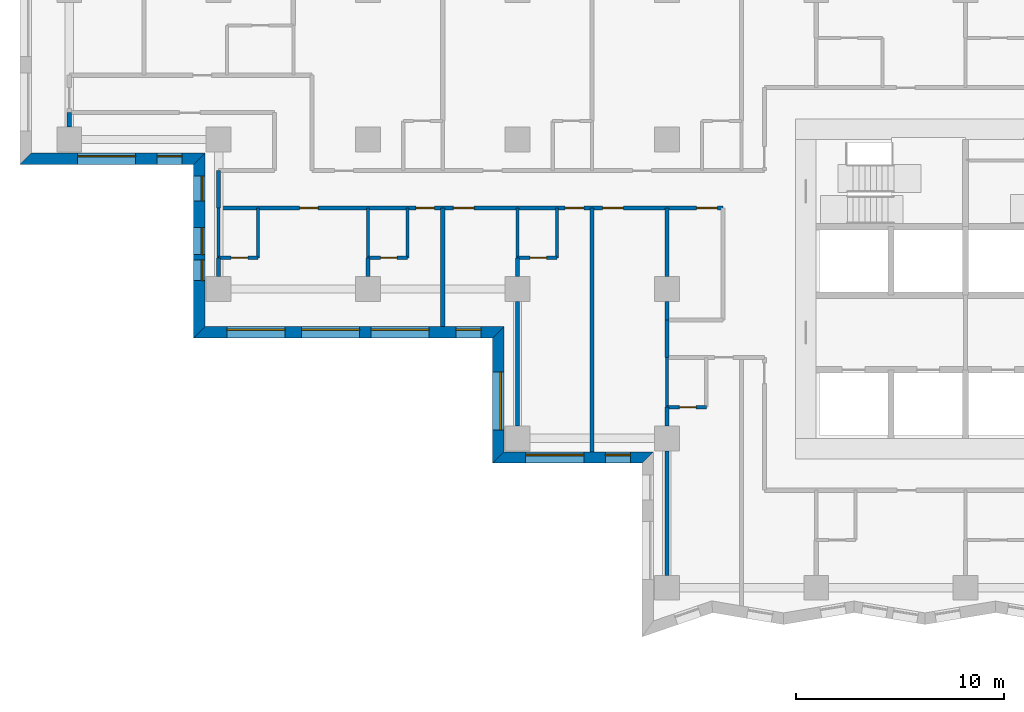
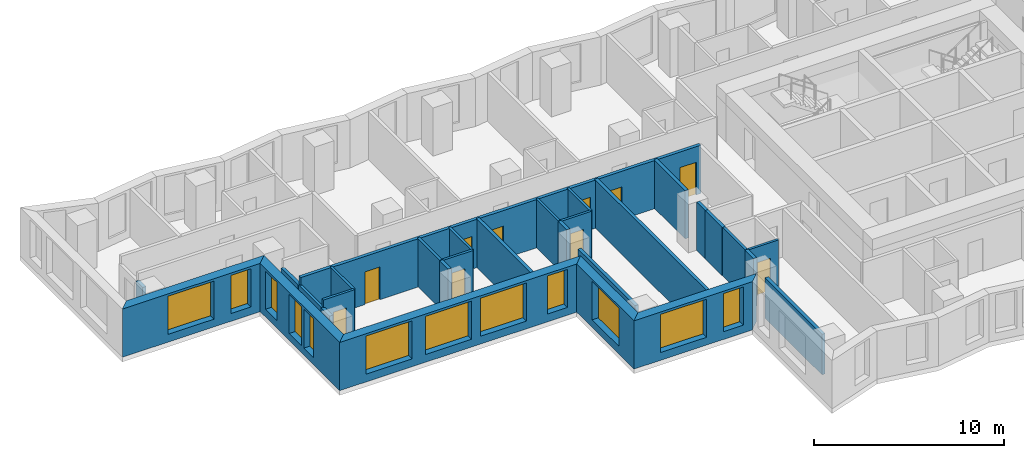
# One storey, part 3 of 12: 30 walls, 12 windows, 10 doors, 22 openings.
"""IFC4 building model written with IfcOpenShell, lengths in metres."""

from ifc_helpers import new_model, si_unit, direction, frame, frame_2d, origin, place, context, subcontext, project, spatial, polyline, rectangle, outline, extrude, material, layer, layer_set, type_object, element, fill, save


model = new_model("IFC4")

# Units and contexts
model_context = context("Model", 3, precision=1e-05, world=origin(), true_north=direction((0.0, 1.0)))
body_context = subcontext(model_context, "Body", "Model", "MODEL_VIEW")
ifc_project = project(units=[si_unit("LENGTHUNIT", "METRE"), si_unit("AREAUNIT", "SQUARE_METRE"), si_unit("VOLUMEUNIT", "CUBIC_METRE"), si_unit("PLANEANGLEUNIT", "RADIAN"), si_unit("MASSUNIT", "GRAM", prefix="KILO")], contexts=[model_context])

# Site, building, storey
site_placement = place(None, origin())
site = spatial("IfcSite", under=ifc_project, at=site_placement, CompositionType="ELEMENT")
building_placement = place(site_placement, origin())
building = spatial("IfcBuilding", under=site, at=building_placement, Name="Windrow Commons", CompositionType="ELEMENT")
storey_placement = place(building_placement, frame((0.0, 0.0, 57.6)))
storey = spatial("IfcBuildingStorey", under=building, at=storey_placement, Name="L15", CompositionType="ELEMENT", Elevation=57.6)

# Wall, openings, windows
ifc_material_1 = material(Name="Brick masonry, red clay brick", Category="masonry")
ifc_layer_1 = layer(ifc_material_1, 0.55)
ifc_layer_set_1 = layer_set([ifc_layer_1], Name="Brick facade wall 550")
wall_type_1 = type_object("IfcWallType", Name="Brick facade wall 550", PredefinedType="SOLIDWALL", material=ifc_layer_set_1)
wall_1_placement = place(storey_placement, frame((19.503, 63.875, 0.0), z_axis=(0.0, 0.0, 1.0), x_axis=(1.0, 0.0, 0.0)))
wall_1 = element("IfcWall", 1, at=wall_1_placement, inside=storey, type_object=wall_type_1, Name="Brick facade wall L15 40", PredefinedType="SOLIDWALL", context=body_context, shape_type="SweptSolid", body=[
    extrude(outline(polyline([(-0.275, -0.275), (8.097, -0.275), (8.647, 0.275), (0.275, 0.275), (-0.275, -0.275)])), origin(), (0.0, 0.0, 1.0), 3.1),
])
opening_1_placement = place(wall_1_placement, frame((2.497, 0.0, 0.5)))
opening_1 = element("IfcOpeningElement", 2, at=opening_1_placement, cuts=wall_1, Name="Opening W1T", PredefinedType="OPENING", context=body_context, shape_type="SweptSolid", body=[
    extrude(rectangle(XDim=2.8, YDim=2.45, at=frame_2d((1.4, 1.225))), frame((0.0, 0.285, 0.0), z_axis=(0.0, -1.0, 0.0), x_axis=(1.0, 0.0, 0.0)), (0.0, 0.0, 1.0), 0.57),
])
opening_2_placement = place(wall_1_placement, frame((6.3345, 0.0, 0.5)))
opening_2 = element("IfcOpeningElement", 3, at=opening_2_placement, cuts=wall_1, Name="Opening W7D", PredefinedType="OPENING", context=body_context, shape_type="SweptSolid", body=[
    extrude(rectangle(XDim=1.2, YDim=2.45, at=frame_2d((0.6, 1.225))), frame((0.0, 0.285, 0.0), z_axis=(0.0, -1.0, 0.0), x_axis=(1.0, 0.0, 0.0)), (0.0, 0.0, 1.0), 0.57),
])
ifc_material_2 = material(Name="Clear float glass in anodised aluminium frame", Category="aluminium")
window_type_1 = type_object("IfcWindowType", Name="Window W1T bedroom 2800x2450", PartitioningType="SINGLE_PANEL", PredefinedType="WINDOW", material=ifc_material_2)
window_1_placement = place(opening_1_placement, origin())
window_1 = element("IfcWindow", 4, at=window_1_placement, inside=storey, type_object=window_type_1, Name="Window L15 40.1", OverallHeight=2.45, OverallWidth=2.8, PartitioningType="SINGLE_PANEL", PredefinedType="WINDOW", context=body_context, shape_type="SweptSolid", body=[
    extrude(rectangle(XDim=2.8, YDim=2.45, at=frame_2d((1.4, 1.225))), frame((0.0, 0.155, 0.0), z_axis=(0.0, -1.0, 0.0), x_axis=(1.0, 0.0, 0.0)), (0.0, 0.0, 1.0), 0.06),
])
fill(opening_1, window_1)
ifc_material_3 = material(Name="Clear float glass in anodised aluminium frame", Category="aluminium")
window_type_2 = type_object("IfcWindowType", Name="Window W7 notch 1200x2450", PartitioningType="SINGLE_PANEL", PredefinedType="WINDOW", material=ifc_material_3)
window_2_placement = place(opening_2_placement, origin())
window_2 = element("IfcWindow", 5, at=window_2_placement, inside=storey, type_object=window_type_2, Name="Window L15 40.2", OverallHeight=2.45, OverallWidth=1.2, PartitioningType="SINGLE_PANEL", PredefinedType="WINDOW", context=body_context, shape_type="SweptSolid", body=[
    extrude(rectangle(XDim=1.2, YDim=2.45, at=frame_2d((0.6, 1.225))), frame((0.0, 0.155, 0.0), z_axis=(0.0, -1.0, 0.0), x_axis=(1.0, 0.0, 0.0)), (0.0, 0.0, 1.0), 0.06),
])
fill(opening_2, window_2)

wall_2_placement = place(storey_placement, frame((27.875, 63.875, 0.0), z_axis=(0.0, 0.0, 1.0), x_axis=(0.0, -1.0, 0.0)))
wall_2 = element("IfcWall", 6, at=wall_2_placement, inside=storey, type_object=wall_type_1, Name="Brick facade wall L15 41", PredefinedType="SOLIDWALL", context=body_context, shape_type="SweptSolid", body=[
    extrude(outline(polyline([(0.275, -0.275), (8.647, -0.275), (8.097, 0.275), (-0.275, 0.275), (0.275, -0.275)])), origin(), (0.0, 0.0, 1.0), 3.1),
])
opening_3_placement = place(wall_2_placement, frame((0.8375, 0.0, 0.5)))
opening_3 = element("IfcOpeningElement", 7, at=opening_3_placement, cuts=wall_2, Name="Opening W7D", PredefinedType="OPENING", context=body_context, shape_type="SweptSolid", body=[
    extrude(rectangle(XDim=1.2, YDim=2.45, at=frame_2d((0.6, 1.225))), frame((0.0, 0.285, 0.0), z_axis=(0.0, -1.0, 0.0), x_axis=(1.0, 0.0, 0.0)), (0.0, 0.0, 1.0), 0.57),
])
opening_4_placement = place(wall_2_placement, frame((3.325, 0.0, 0.45)))
opening_4 = element("IfcOpeningElement", 8, at=opening_4_placement, cuts=wall_2, Name="Opening W1Q", PredefinedType="OPENING", context=body_context, shape_type="SweptSolid", body=[
    extrude(rectangle(XDim=1.3, YDim=2.5, at=frame_2d((0.65, 1.25))), frame((0.0, 0.285, 0.0), z_axis=(0.0, -1.0, 0.0), x_axis=(1.0, 0.0, 0.0)), (0.0, 0.0, 1.0), 0.57),
])
opening_5_placement = place(wall_2_placement, frame((4.875, 0.0, 0.45)))
opening_5 = element("IfcOpeningElement", 9, at=opening_5_placement, cuts=wall_2, Name="Opening W1S", PredefinedType="OPENING", context=body_context, shape_type="SweptSolid", body=[
    extrude(rectangle(XDim=1.0, YDim=2.5, at=frame_2d((0.5, 1.25))), frame((0.0, 0.285, 0.0), z_axis=(0.0, -1.0, 0.0), x_axis=(1.0, 0.0, 0.0)), (0.0, 0.0, 1.0), 0.57),
])
ifc_material_4 = material(Name="Clear float glass in anodised aluminium frame", Category="aluminium")
window_type_3 = type_object("IfcWindowType", Name="Window W1Q pair 1300x2500", PartitioningType="SINGLE_PANEL", PredefinedType="WINDOW", material=ifc_material_4)
window_3_placement = place(opening_4_placement, origin())
window_3 = element("IfcWindow", 10, at=window_3_placement, inside=storey, type_object=window_type_3, Name="Window L15 41.1A", OverallHeight=2.5, OverallWidth=1.3, PartitioningType="SINGLE_PANEL", PredefinedType="WINDOW", context=body_context, shape_type="SweptSolid", body=[
    extrude(rectangle(XDim=1.3, YDim=2.5, at=frame_2d((0.65, 1.25))), frame((0.0, 0.155, 0.0), z_axis=(0.0, -1.0, 0.0), x_axis=(1.0, 0.0, 0.0)), (0.0, 0.0, 1.0), 0.06),
])
fill(opening_4, window_3)
ifc_material_5 = material(Name="Clear float glass in anodised aluminium frame", Category="aluminium")
window_type_4 = type_object("IfcWindowType", Name="Window W1S slit 1000x2500", PartitioningType="SINGLE_PANEL", PredefinedType="WINDOW", material=ifc_material_5)
window_4_placement = place(opening_5_placement, origin())
window_4 = element("IfcWindow", 11, at=window_4_placement, inside=storey, type_object=window_type_4, Name="Window L15 41.1B", OverallHeight=2.5, OverallWidth=1.0, PartitioningType="SINGLE_PANEL", PredefinedType="WINDOW", context=body_context, shape_type="SweptSolid", body=[
    extrude(rectangle(XDim=1.0, YDim=2.5, at=frame_2d((0.5, 1.25))), frame((0.0, 0.155, 0.0), z_axis=(0.0, -1.0, 0.0), x_axis=(1.0, 0.0, 0.0)), (0.0, 0.0, 1.0), 0.06),
])
fill(opening_5, window_4)
window_5_placement = place(opening_3_placement, origin())
window_5 = element("IfcWindow", 12, at=window_5_placement, inside=storey, type_object=window_type_2, Name="Window L15 41.2", OverallHeight=2.45, OverallWidth=1.2, PartitioningType="SINGLE_PANEL", PredefinedType="WINDOW", context=body_context, shape_type="SweptSolid", body=[
    extrude(rectangle(XDim=1.2, YDim=2.45, at=frame_2d((0.6, 1.225))), frame((0.0, 0.155, 0.0), z_axis=(0.0, -1.0, 0.0), x_axis=(1.0, 0.0, 0.0)), (0.0, 0.0, 1.0), 0.06),
])
fill(opening_3, window_5)

wall_3_placement = place(storey_placement, frame((27.875, 55.503, 0.0), z_axis=(0.0, 0.0, 1.0), x_axis=(1.0, 0.0, 0.0)))
wall_3 = element("IfcWall", 13, at=wall_3_placement, inside=storey, type_object=wall_type_1, Name="Brick facade wall L15 42", PredefinedType="SOLIDWALL", context=body_context, shape_type="SweptSolid", body=[
    extrude(outline(polyline([(-0.275, -0.275), (14.125, -0.275), (14.675, 0.275), (0.275, 0.275), (-0.275, -0.275)])), origin(), (0.0, 0.0, 1.0), 3.1),
])
opening_6_placement = place(wall_3_placement, frame((1.325, 0.0, 0.5)))
opening_6 = element("IfcOpeningElement", 14, at=opening_6_placement, cuts=wall_3, Name="Opening W1T", PredefinedType="OPENING", context=body_context, shape_type="SweptSolid", body=[
    extrude(rectangle(XDim=2.8, YDim=2.45, at=frame_2d((1.4, 1.225))), frame((0.0, 0.285, 0.0), z_axis=(0.0, -1.0, 0.0), x_axis=(1.0, 0.0, 0.0)), (0.0, 0.0, 1.0), 0.57),
])
opening_7_placement = place(wall_3_placement, frame((4.925, 0.0, 0.5)))
opening_7 = element("IfcOpeningElement", 15, at=opening_7_placement, cuts=wall_3, Name="Opening W1T", PredefinedType="OPENING", context=body_context, shape_type="SweptSolid", body=[
    extrude(rectangle(XDim=2.8, YDim=2.45, at=frame_2d((1.4, 1.225))), frame((0.0, 0.285, 0.0), z_axis=(0.0, -1.0, 0.0), x_axis=(1.0, 0.0, 0.0)), (0.0, 0.0, 1.0), 0.57),
])
opening_8_placement = place(wall_3_placement, frame((8.275, 0.0, 0.5)))
opening_8 = element("IfcOpeningElement", 16, at=opening_8_placement, cuts=wall_3, Name="Opening W1T", PredefinedType="OPENING", context=body_context, shape_type="SweptSolid", body=[
    extrude(rectangle(XDim=2.8, YDim=2.45, at=frame_2d((1.4, 1.225))), frame((0.0, 0.285, 0.0), z_axis=(0.0, -1.0, 0.0), x_axis=(1.0, 0.0, 0.0)), (0.0, 0.0, 1.0), 0.57),
])
opening_9_placement = place(wall_3_placement, frame((12.3625, 0.0, 0.5)))
opening_9 = element("IfcOpeningElement", 17, at=opening_9_placement, cuts=wall_3, Name="Opening W7D", PredefinedType="OPENING", context=body_context, shape_type="SweptSolid", body=[
    extrude(rectangle(XDim=1.2, YDim=2.45, at=frame_2d((0.6, 1.225))), frame((0.0, 0.285, 0.0), z_axis=(0.0, -1.0, 0.0), x_axis=(1.0, 0.0, 0.0)), (0.0, 0.0, 1.0), 0.57),
])
window_6_placement = place(opening_6_placement, origin())
window_6 = element("IfcWindow", 18, at=window_6_placement, inside=storey, type_object=window_type_1, Name="Window L15 42.1", OverallHeight=2.45, OverallWidth=2.8, PartitioningType="SINGLE_PANEL", PredefinedType="WINDOW", context=body_context, shape_type="SweptSolid", body=[
    extrude(rectangle(XDim=2.8, YDim=2.45, at=frame_2d((1.4, 1.225))), frame((0.0, 0.155, 0.0), z_axis=(0.0, -1.0, 0.0), x_axis=(1.0, 0.0, 0.0)), (0.0, 0.0, 1.0), 0.06),
])
fill(opening_6, window_6)
window_7_placement = place(opening_7_placement, origin())
window_7 = element("IfcWindow", 19, at=window_7_placement, inside=storey, type_object=window_type_1, Name="Window L15 42.2", OverallHeight=2.45, OverallWidth=2.8, PartitioningType="SINGLE_PANEL", PredefinedType="WINDOW", context=body_context, shape_type="SweptSolid", body=[
    extrude(rectangle(XDim=2.8, YDim=2.45, at=frame_2d((1.4, 1.225))), frame((0.0, 0.155, 0.0), z_axis=(0.0, -1.0, 0.0), x_axis=(1.0, 0.0, 0.0)), (0.0, 0.0, 1.0), 0.06),
])
fill(opening_7, window_7)
window_8_placement = place(opening_8_placement, origin())
window_8 = element("IfcWindow", 20, at=window_8_placement, inside=storey, type_object=window_type_1, Name="Window L15 42.3", OverallHeight=2.45, OverallWidth=2.8, PartitioningType="SINGLE_PANEL", PredefinedType="WINDOW", context=body_context, shape_type="SweptSolid", body=[
    extrude(rectangle(XDim=2.8, YDim=2.45, at=frame_2d((1.4, 1.225))), frame((0.0, 0.155, 0.0), z_axis=(0.0, -1.0, 0.0), x_axis=(1.0, 0.0, 0.0)), (0.0, 0.0, 1.0), 0.06),
])
fill(opening_8, window_8)
window_9_placement = place(opening_9_placement, origin())
window_9 = element("IfcWindow", 21, at=window_9_placement, inside=storey, type_object=window_type_2, Name="Window L15 42.4", OverallHeight=2.45, OverallWidth=1.2, PartitioningType="SINGLE_PANEL", PredefinedType="WINDOW", context=body_context, shape_type="SweptSolid", body=[
    extrude(rectangle(XDim=1.2, YDim=2.45, at=frame_2d((0.6, 1.225))), frame((0.0, 0.155, 0.0), z_axis=(0.0, -1.0, 0.0), x_axis=(1.0, 0.0, 0.0)), (0.0, 0.0, 1.0), 0.06),
])
fill(opening_9, window_9)

# Wall, opening, window
wall_4_placement = place(storey_placement, frame((42.275, 55.503, 0.0), z_axis=(0.0, 0.0, 1.0), x_axis=(0.0, -1.0, 0.0)))
wall_4 = element("IfcWall", 22, at=wall_4_placement, inside=storey, type_object=wall_type_1, Name="Brick facade wall L15 43", PredefinedType="SOLIDWALL", context=body_context, shape_type="SweptSolid", body=[
    extrude(outline(polyline([(0.275, -0.275), (6.303, -0.275), (5.753, 0.275), (-0.275, 0.275), (0.275, -0.275)])), origin(), (0.0, 0.0, 1.0), 3.1),
])
opening_10_placement = place(wall_4_placement, frame((1.903, 0.0, 0.5)))
opening_10 = element("IfcOpeningElement", 23, at=opening_10_placement, cuts=wall_4, Name="Opening W1T", PredefinedType="OPENING", context=body_context, shape_type="SweptSolid", body=[
    extrude(rectangle(XDim=2.8, YDim=2.45, at=frame_2d((1.4, 1.225))), frame((0.0, 0.285, 0.0), z_axis=(0.0, -1.0, 0.0), x_axis=(1.0, 0.0, 0.0)), (0.0, 0.0, 1.0), 0.57),
])
window_10_placement = place(opening_10_placement, origin())
window_10 = element("IfcWindow", 24, at=window_10_placement, inside=storey, type_object=window_type_1, Name="Window L15 43.1", OverallHeight=2.45, OverallWidth=2.8, PartitioningType="SINGLE_PANEL", PredefinedType="WINDOW", context=body_context, shape_type="SweptSolid", body=[
    extrude(rectangle(XDim=2.8, YDim=2.45, at=frame_2d((1.4, 1.225))), frame((0.0, 0.155, 0.0), z_axis=(0.0, -1.0, 0.0), x_axis=(1.0, 0.0, 0.0)), (0.0, 0.0, 1.0), 0.06),
])
fill(opening_10, window_10)

# Wall, openings, windows
wall_5_placement = place(storey_placement, frame((42.275, 49.475, 0.0), z_axis=(0.0, 0.0, 1.0), x_axis=(1.0, 0.0, 0.0)))
wall_5 = element("IfcWall", 25, at=wall_5_placement, inside=storey, type_object=wall_type_1, Name="Brick facade wall L15 44", PredefinedType="SOLIDWALL", context=body_context, shape_type="SweptSolid", body=[
    extrude(outline(polyline([(-0.275, -0.275), (6.925, -0.275), (7.475, 0.275), (0.275, 0.275), (-0.275, -0.275)])), origin(), (0.0, 0.0, 1.0), 3.1),
])
opening_11_placement = place(wall_5_placement, frame((1.325, 0.0, 0.5)))
opening_11 = element("IfcOpeningElement", 26, at=opening_11_placement, cuts=wall_5, Name="Opening W1T", PredefinedType="OPENING", context=body_context, shape_type="SweptSolid", body=[
    extrude(rectangle(XDim=2.8, YDim=2.45, at=frame_2d((1.4, 1.225))), frame((0.0, 0.285, 0.0), z_axis=(0.0, -1.0, 0.0), x_axis=(1.0, 0.0, 0.0)), (0.0, 0.0, 1.0), 0.57),
])
opening_12_placement = place(wall_5_placement, frame((5.1625, 0.0, 0.5)))
opening_12 = element("IfcOpeningElement", 27, at=opening_12_placement, cuts=wall_5, Name="Opening W7D", PredefinedType="OPENING", context=body_context, shape_type="SweptSolid", body=[
    extrude(rectangle(XDim=1.2, YDim=2.45, at=frame_2d((0.6, 1.225))), frame((0.0, 0.285, 0.0), z_axis=(0.0, -1.0, 0.0), x_axis=(1.0, 0.0, 0.0)), (0.0, 0.0, 1.0), 0.57),
])
window_11_placement = place(opening_11_placement, origin())
window_11 = element("IfcWindow", 28, at=window_11_placement, inside=storey, type_object=window_type_1, Name="Window L15 44.1", OverallHeight=2.45, OverallWidth=2.8, PartitioningType="SINGLE_PANEL", PredefinedType="WINDOW", context=body_context, shape_type="SweptSolid", body=[
    extrude(rectangle(XDim=2.8, YDim=2.45, at=frame_2d((1.4, 1.225))), frame((0.0, 0.155, 0.0), z_axis=(0.0, -1.0, 0.0), x_axis=(1.0, 0.0, 0.0)), (0.0, 0.0, 1.0), 0.06),
])
fill(opening_11, window_11)
window_12_placement = place(opening_12_placement, origin())
window_12 = element("IfcWindow", 29, at=window_12_placement, inside=storey, type_object=window_type_2, Name="Window L15 44.2", OverallHeight=2.45, OverallWidth=1.2, PartitioningType="SINGLE_PANEL", PredefinedType="WINDOW", context=body_context, shape_type="SweptSolid", body=[
    extrude(rectangle(XDim=1.2, YDim=2.45, at=frame_2d((0.6, 1.225))), frame((0.0, 0.155, 0.0), z_axis=(0.0, -1.0, 0.0), x_axis=(1.0, 0.0, 0.0)), (0.0, 0.0, 1.0), 0.06),
])
fill(opening_12, window_12)

# Wall, openings, doors
ifc_material_6 = material(Name="Blockwork partition", Category="masonry")
ifc_layer_2 = layer(ifc_material_6, 0.2)
ifc_layer_set_2 = layer_set([ifc_layer_2], Name="IW-CORRIDOR-200")
wall_type_2 = type_object("IfcWallType", Name="IW-CORRIDOR-200", PredefinedType="PARTITIONING", material=ifc_layer_set_2)
wall_6_placement = place(storey_placement, frame((28.8, 61.5, 0.0), z_axis=(0.0, 0.0, 1.0), x_axis=(1.0, 0.0, 0.0)))
wall_6 = element("IfcWall", 30, at=wall_6_placement, inside=storey, type_object=wall_type_2, Name="W-L15-W000", PredefinedType="PARTITIONING", context=body_context, shape_type="SweptSolid", body=[
    extrude(rectangle(XDim=24.3, YDim=0.2, at=frame_2d((12.15, 0.0))), origin(), (0.0, 0.0, 1.0), 3.1),
])
opening_13_placement = place(wall_6_placement, frame((3.8994, 0.0, 0.0)))
opening_13 = element("IfcOpeningElement", 31, at=opening_13_placement, cuts=wall_6, Name="Opening D109F", PredefinedType="OPENING", context=body_context, shape_type="SweptSolid", body=[
    extrude(rectangle(XDim=0.9, YDim=2.1, at=frame_2d((0.45, 1.05))), frame((0.0, 0.11, 0.0), z_axis=(0.0, -1.0, 0.0), x_axis=(1.0, 0.0, 0.0)), (0.0, 0.0, 1.0), 0.22),
])
opening_14_placement = place(wall_6_placement, frame((9.5, 0.0, 0.0)))
opening_14 = element("IfcOpeningElement", 32, at=opening_14_placement, cuts=wall_6, Name="Opening D109S", PredefinedType="OPENING", context=body_context, shape_type="SweptSolid", body=[
    extrude(rectangle(XDim=0.9, YDim=2.1, at=frame_2d((0.45, 1.05))), frame((0.0, 0.11, 0.0), z_axis=(0.0, -1.0, 0.0), x_axis=(1.0, 0.0, 0.0)), (0.0, 0.0, 1.0), 0.22),
])
opening_15_placement = place(wall_6_placement, frame((11.3075, 0.0, 0.0)))
opening_15 = element("IfcOpeningElement", 33, at=opening_15_placement, cuts=wall_6, Name="Opening D310F", PredefinedType="OPENING", context=body_context, shape_type="SweptSolid", body=[
    extrude(rectangle(XDim=1.0, YDim=2.1, at=frame_2d((0.5, 1.05))), frame((0.0, 0.11, 0.0), z_axis=(0.0, -1.0, 0.0), x_axis=(1.0, 0.0, 0.0)), (0.0, 0.0, 1.0), 0.22),
])
opening_16_placement = place(wall_6_placement, frame((16.7, 0.0, 0.0)))
opening_16 = element("IfcOpeningElement", 34, at=opening_16_placement, cuts=wall_6, Name="Opening D109S", PredefinedType="OPENING", context=body_context, shape_type="SweptSolid", body=[
    extrude(rectangle(XDim=0.9, YDim=2.1, at=frame_2d((0.45, 1.05))), frame((0.0, 0.11, 0.0), z_axis=(0.0, -1.0, 0.0), x_axis=(1.0, 0.0, 0.0)), (0.0, 0.0, 1.0), 0.22),
])
opening_17_placement = place(wall_6_placement, frame((18.5075, 0.0, 0.0)))
opening_17 = element("IfcOpeningElement", 35, at=opening_17_placement, cuts=wall_6, Name="Opening D310F", PredefinedType="OPENING", context=body_context, shape_type="SweptSolid", body=[
    extrude(rectangle(XDim=1.0, YDim=2.1, at=frame_2d((0.5, 1.05))), frame((0.0, 0.11, 0.0), z_axis=(0.0, -1.0, 0.0), x_axis=(1.0, 0.0, 0.0)), (0.0, 0.0, 1.0), 0.22),
])
opening_18_placement = place(wall_6_placement, frame((23.0333, 0.0, 0.0)))
opening_18 = element("IfcOpeningElement", 36, at=opening_18_placement, cuts=wall_6, Name="Opening D310F", PredefinedType="OPENING", context=body_context, shape_type="SweptSolid", body=[
    extrude(rectangle(XDim=1.0, YDim=2.1, at=frame_2d((0.5, 1.05))), frame((0.0, 0.11, 0.0), z_axis=(0.0, -1.0, 0.0), x_axis=(1.0, 0.0, 0.0)), (0.0, 0.0, 1.0), 0.22),
])
ifc_material_7 = material(Name="Timber door leaf", Category="wood")
door_type_1 = type_object("IfcDoorType", Name="DT-AMENITY-1000", OperationType="SINGLE_SWING_LEFT", PredefinedType="DOOR", material=ifc_material_7)
door_1_placement = place(opening_15_placement, origin())
door_1 = element("IfcDoor", 37, at=door_1_placement, inside=storey, type_object=door_type_1, Name="D-L15-D017", OperationType="SINGLE_SWING_RIGHT", OverallHeight=2.1, OverallWidth=1.0, PredefinedType="DOOR", context=body_context, shape_type="SweptSolid", body=[
    extrude(rectangle(XDim=1.0, YDim=2.1, at=frame_2d((0.5, 1.05))), frame((0.0, 0.025, 0.0), z_axis=(0.0, -1.0, 0.0), x_axis=(1.0, 0.0, 0.0)), (0.0, 0.0, 1.0), 0.05),
])
fill(opening_15, door_1)
door_2_placement = place(opening_17_placement, origin())
door_2 = element("IfcDoor", 38, at=door_2_placement, inside=storey, type_object=door_type_1, Name="D-L15-D020", OperationType="SINGLE_SWING_RIGHT", OverallHeight=2.1, OverallWidth=1.0, PredefinedType="DOOR", context=body_context, shape_type="SweptSolid", body=[
    extrude(rectangle(XDim=1.0, YDim=2.1, at=frame_2d((0.5, 1.05))), frame((0.0, 0.025, 0.0), z_axis=(0.0, -1.0, 0.0), x_axis=(1.0, 0.0, 0.0)), (0.0, 0.0, 1.0), 0.05),
])
fill(opening_17, door_2)
door_3_placement = place(opening_18_placement, origin())
door_3 = element("IfcDoor", 39, at=door_3_placement, inside=storey, type_object=door_type_1, Name="D-L15-D021", OperationType="SINGLE_SWING_LEFT", OverallHeight=2.1, OverallWidth=1.0, PredefinedType="DOOR", context=body_context, shape_type="SweptSolid", body=[
    extrude(rectangle(XDim=1.0, YDim=2.1, at=frame_2d((0.5, 1.05))), frame((0.0, 0.025, 0.0), z_axis=(0.0, -1.0, 0.0), x_axis=(1.0, 0.0, 0.0)), (0.0, 0.0, 1.0), 0.05),
])
fill(opening_18, door_3)
ifc_material_8 = material(Name="Timber door leaf", Category="wood")
door_type_2 = type_object("IfcDoorType", Name="DT-BEDROOM-900", OperationType="SINGLE_SWING_LEFT", PredefinedType="DOOR", material=ifc_material_8)
door_4_placement = place(opening_13_placement, origin())
door_4 = element("IfcDoor", 40, at=door_4_placement, inside=storey, type_object=door_type_2, Name="D-L15-D005", OperationType="SINGLE_SWING_LEFT", OverallHeight=2.1, OverallWidth=0.9, PredefinedType="DOOR", context=body_context, shape_type="SweptSolid", body=[
    extrude(rectangle(XDim=0.9, YDim=2.1, at=frame_2d((0.45, 1.05))), frame((0.0, 0.025, 0.0), z_axis=(0.0, -1.0, 0.0), x_axis=(1.0, 0.0, 0.0)), (0.0, 0.0, 1.0), 0.05),
])
fill(opening_13, door_4)
door_5_placement = place(opening_14_placement, origin())
door_5 = element("IfcDoor", 41, at=door_5_placement, inside=storey, type_object=door_type_2, Name="D-L15-D007", OperationType="SINGLE_SWING_LEFT", OverallHeight=2.1, OverallWidth=0.9, PredefinedType="DOOR", context=body_context, shape_type="SweptSolid", body=[
    extrude(rectangle(XDim=0.9, YDim=2.1, at=frame_2d((0.45, 1.05))), frame((0.0, 0.025, 0.0), z_axis=(0.0, -1.0, 0.0), x_axis=(1.0, 0.0, 0.0)), (0.0, 0.0, 1.0), 0.05),
])
fill(opening_14, door_5)
door_6_placement = place(opening_16_placement, origin())
door_6 = element("IfcDoor", 42, at=door_6_placement, inside=storey, type_object=door_type_2, Name="D-L15-D018", OperationType="SINGLE_SWING_LEFT", OverallHeight=2.1, OverallWidth=0.9, PredefinedType="DOOR", context=body_context, shape_type="SweptSolid", body=[
    extrude(rectangle(XDim=0.9, YDim=2.1, at=frame_2d((0.45, 1.05))), frame((0.0, 0.025, 0.0), z_axis=(0.0, -1.0, 0.0), x_axis=(1.0, 0.0, 0.0)), (0.0, 0.0, 1.0), 0.05),
])
fill(opening_16, door_6)

# Walls
wall_7_placement = place(storey_placement, frame((50.4, 54.3, 0.0), z_axis=(0.0, 0.0, 1.0), x_axis=(0.0, 1.0, 0.0)))
element("IfcWall", 43, at=wall_7_placement, inside=storey, type_object=wall_type_2, Name="W-L15-W132", PredefinedType="PARTITIONING", context=body_context, shape_type="SweptSolid", body=[
    extrude(rectangle(XDim=1.8, YDim=0.2, at=frame_2d((0.9, 0.0))), origin(), (0.0, 0.0, 1.0), 3.1),
])
wall_8_placement = place(storey_placement, frame((28.8, 61.5, 0.0), z_axis=(0.0, 0.0, 1.0), x_axis=(0.0, 1.0, 0.0)))
element("IfcWall", 44, at=wall_8_placement, inside=storey, type_object=wall_type_2, Name="W-L15-W133", PredefinedType="PARTITIONING", context=body_context, shape_type="SweptSolid", body=[
    extrude(rectangle(XDim=1.8, YDim=0.2, at=frame_2d((0.9, 0.0))), origin(), (0.0, 0.0, 1.0), 2.6),
])
ifc_material_9 = material(Name="Blockwork partition", Category="masonry")
ifc_layer_3 = layer(ifc_material_9, 0.15)
ifc_layer_set_3 = layer_set([ifc_layer_3], Name="IW-ENSUITE-150")
wall_type_3 = type_object("IfcWallType", Name="IW-ENSUITE-150", PredefinedType="PARTITIONING", material=ifc_layer_set_3)
wall_9_placement = place(storey_placement, frame((30.7, 59.1, 0.0), z_axis=(0.0, 0.0, 1.0), x_axis=(0.0, 1.0, 0.0)))
element("IfcWall", 45, at=wall_9_placement, inside=storey, type_object=wall_type_3, Name="W-L15-W084", PredefinedType="PARTITIONING", context=body_context, shape_type="SweptSolid", body=[
    extrude(rectangle(XDim=2.4, YDim=0.15, at=frame_2d((1.2, 0.0))), origin(), (0.0, 0.0, 1.0), 3.1),
])
wall_10_placement = place(storey_placement, frame((28.8, 59.1, 0.0), z_axis=(0.0, 0.0, 1.0), x_axis=(0.0, 1.0, 0.0)))
element("IfcWall", 46, at=wall_10_placement, inside=storey, type_object=wall_type_3, Name="W-L15-W085", PredefinedType="PARTITIONING", context=body_context, shape_type="SweptSolid", body=[
    extrude(rectangle(XDim=2.4, YDim=0.15, at=frame_2d((1.2, 0.0))), origin(), (0.0, 0.0, 1.0), 2.6),
])
for number, where, z_axis, x_axis, name in (
    (47, (37.9, 59.1, 0.0), (0.0, 0.0, 1.0), (0.0, 1.0, 0.0), "W-L15-W086"),
    (48, (36.0, 59.1, 0.0), (0.0, 0.0, 1.0), (0.0, 1.0, 0.0), "W-L15-W087"),
    (49, (45.1, 59.1, 0.0), (0.0, 0.0, 1.0), (0.0, 1.0, 0.0), "W-L15-W088"),
    (50, (43.2, 59.1, 0.0), (0.0, 0.0, 1.0), (0.0, 1.0, 0.0), "W-L15-W089"),
    (51, (50.4, 51.9, 0.0), (0.0, 0.0, 1.0), (0.0, 1.0, 0.0), "W-L15-W091"),
):
    element("IfcWall", number, at=place(storey_placement, frame(where, z_axis=z_axis, x_axis=x_axis)), inside=storey, type_object=wall_type_3, Name=name, PredefinedType="PARTITIONING", context=body_context, shape_type="SweptSolid", body=[
        extrude(rectangle(XDim=2.4, YDim=0.15, at=frame_2d((1.2, 0.0))), origin(), (0.0, 0.0, 1.0), 3.1),
    ])

# Wall, opening, door
wall_11_placement = place(storey_placement, frame((28.8, 59.1, 0.0), z_axis=(0.0, 0.0, 1.0), x_axis=(1.0, 0.0, 0.0)))
wall_11 = element("IfcWall", 52, at=wall_11_placement, inside=storey, type_object=wall_type_3, Name="W-L15-W117", PredefinedType="PARTITIONING", context=body_context, shape_type="SweptSolid", body=[
    extrude(rectangle(XDim=1.9, YDim=0.15, at=frame_2d((0.95, 0.0))), origin(), (0.0, 0.0, 1.0), 3.1),
])
opening_19_placement = place(wall_11_placement, frame((0.6069, 0.0, 0.0)))
opening_19 = element("IfcOpeningElement", 53, at=opening_19_placement, cuts=wall_11, Name="Opening D208N", PredefinedType="OPENING", context=body_context, shape_type="SweptSolid", body=[
    extrude(rectangle(XDim=0.8, YDim=2.1, at=frame_2d((0.4, 1.05))), frame((0.0, 0.085, 0.0), z_axis=(0.0, -1.0, 0.0), x_axis=(1.0, 0.0, 0.0)), (0.0, 0.0, 1.0), 0.17),
])
ifc_material_10 = material(Name="Timber door leaf", Category="wood")
door_type_3 = type_object("IfcDoorType", Name="DT-ENSUITE-800", OperationType="SINGLE_SWING_LEFT", PredefinedType="DOOR", material=ifc_material_10)
door_7_placement = place(opening_19_placement, origin())
door_7 = element("IfcDoor", 54, at=door_7_placement, inside=storey, type_object=door_type_3, Name="D-L15-D006", OperationType="SINGLE_SWING_RIGHT", OverallHeight=2.1, OverallWidth=0.8, PredefinedType="DOOR", context=body_context, shape_type="SweptSolid", body=[
    extrude(rectangle(XDim=0.8, YDim=2.1, at=frame_2d((0.4, 1.05))), frame((0.0, 0.025, 0.0), z_axis=(0.0, -1.0, 0.0), x_axis=(1.0, 0.0, 0.0)), (0.0, 0.0, 1.0), 0.05),
])
fill(opening_19, door_7)

wall_12_placement = place(storey_placement, frame((36.0, 59.1, 0.0), z_axis=(0.0, 0.0, 1.0), x_axis=(1.0, 0.0, 0.0)))
wall_12 = element("IfcWall", 55, at=wall_12_placement, inside=storey, type_object=wall_type_3, Name="W-L15-W118", PredefinedType="PARTITIONING", context=body_context, shape_type="SweptSolid", body=[
    extrude(rectangle(XDim=1.9, YDim=0.15, at=frame_2d((0.95, 0.0))), origin(), (0.0, 0.0, 1.0), 3.1),
])
opening_20_placement = place(wall_12_placement, frame((0.6069, 0.0, 0.0)))
opening_20 = element("IfcOpeningElement", 56, at=opening_20_placement, cuts=wall_12, Name="Opening D208N", PredefinedType="OPENING", context=body_context, shape_type="SweptSolid", body=[
    extrude(rectangle(XDim=0.8, YDim=2.1, at=frame_2d((0.4, 1.05))), frame((0.0, 0.085, 0.0), z_axis=(0.0, -1.0, 0.0), x_axis=(1.0, 0.0, 0.0)), (0.0, 0.0, 1.0), 0.17),
])
door_8_placement = place(opening_20_placement, origin())
door_8 = element("IfcDoor", 57, at=door_8_placement, inside=storey, type_object=door_type_3, Name="D-L15-D008", OperationType="SINGLE_SWING_RIGHT", OverallHeight=2.1, OverallWidth=0.8, PredefinedType="DOOR", context=body_context, shape_type="SweptSolid", body=[
    extrude(rectangle(XDim=0.8, YDim=2.1, at=frame_2d((0.4, 1.05))), frame((0.0, 0.025, 0.0), z_axis=(0.0, -1.0, 0.0), x_axis=(1.0, 0.0, 0.0)), (0.0, 0.0, 1.0), 0.05),
])
fill(opening_20, door_8)

wall_13_placement = place(storey_placement, frame((43.2, 59.1, 0.0), z_axis=(0.0, 0.0, 1.0), x_axis=(1.0, 0.0, 0.0)))
wall_13 = element("IfcWall", 58, at=wall_13_placement, inside=storey, type_object=wall_type_3, Name="W-L15-W119", PredefinedType="PARTITIONING", context=body_context, shape_type="SweptSolid", body=[
    extrude(rectangle(XDim=1.9, YDim=0.15, at=frame_2d((0.95, 0.0))), origin(), (0.0, 0.0, 1.0), 3.1),
])
opening_21_placement = place(wall_13_placement, frame((0.6069, 0.0, 0.0)))
opening_21 = element("IfcOpeningElement", 59, at=opening_21_placement, cuts=wall_13, Name="Opening D208N", PredefinedType="OPENING", context=body_context, shape_type="SweptSolid", body=[
    extrude(rectangle(XDim=0.8, YDim=2.1, at=frame_2d((0.4, 1.05))), frame((0.0, 0.085, 0.0), z_axis=(0.0, -1.0, 0.0), x_axis=(1.0, 0.0, 0.0)), (0.0, 0.0, 1.0), 0.17),
])
door_9_placement = place(opening_21_placement, origin())
door_9 = element("IfcDoor", 60, at=door_9_placement, inside=storey, type_object=door_type_3, Name="D-L15-D019", OperationType="SINGLE_SWING_RIGHT", OverallHeight=2.1, OverallWidth=0.8, PredefinedType="DOOR", context=body_context, shape_type="SweptSolid", body=[
    extrude(rectangle(XDim=0.8, YDim=2.1, at=frame_2d((0.4, 1.05))), frame((0.0, 0.025, 0.0), z_axis=(0.0, -1.0, 0.0), x_axis=(1.0, 0.0, 0.0)), (0.0, 0.0, 1.0), 0.05),
])
fill(opening_21, door_9)

wall_14_placement = place(storey_placement, frame((50.4, 51.9, 0.0), z_axis=(0.0, 0.0, 1.0), x_axis=(1.0, 0.0, 0.0)))
wall_14 = element("IfcWall", 61, at=wall_14_placement, inside=storey, type_object=wall_type_3, Name="W-L15-W123", PredefinedType="PARTITIONING", context=body_context, shape_type="SweptSolid", body=[
    extrude(rectangle(XDim=1.9, YDim=0.15, at=frame_2d((0.95, 0.0))), origin(), (0.0, 0.0, 1.0), 3.1),
])
opening_22_placement = place(wall_14_placement, frame((0.6069, 0.0, 0.0)))
opening_22 = element("IfcOpeningElement", 62, at=opening_22_placement, cuts=wall_14, Name="Opening D208N", PredefinedType="OPENING", context=body_context, shape_type="SweptSolid", body=[
    extrude(rectangle(XDim=0.8, YDim=2.1, at=frame_2d((0.4, 1.05))), frame((0.0, 0.085, 0.0), z_axis=(0.0, -1.0, 0.0), x_axis=(1.0, 0.0, 0.0)), (0.0, 0.0, 1.0), 0.17),
])
door_10_placement = place(opening_22_placement, origin())
door_10 = element("IfcDoor", 63, at=door_10_placement, inside=storey, type_object=door_type_3, Name="D-L15-D023", OperationType="SINGLE_SWING_RIGHT", OverallHeight=2.1, OverallWidth=0.8, PredefinedType="DOOR", context=body_context, shape_type="SweptSolid", body=[
    extrude(rectangle(XDim=0.8, YDim=2.1, at=frame_2d((0.4, 1.05))), frame((0.0, 0.025, 0.0), z_axis=(0.0, -1.0, 0.0), x_axis=(1.0, 0.0, 0.0)), (0.0, 0.0, 1.0), 0.05),
])
fill(opening_22, door_10)

# Walls
ifc_material_11 = material(Name="Blockwork partition", Category="masonry")
ifc_layer_4 = layer(ifc_material_11, 0.2)
ifc_layer_set_4 = layer_set([ifc_layer_4], Name="IW-PARTY-200")
wall_type_4 = type_object("IfcWallType", Name="IW-PARTY-200", PredefinedType="PARTITIONING", material=ifc_layer_set_4)
wall_15_placement = place(storey_placement, frame((46.8, 49.75, 0.0), z_axis=(0.0, 0.0, 1.0), x_axis=(0.0, 1.0, 0.0)))
element("IfcWall", 64, at=wall_15_placement, inside=storey, type_object=wall_type_4, Name="W-L15-W008", PredefinedType="PARTITIONING", context=body_context, shape_type="SweptSolid", body=[
    extrude(rectangle(XDim=11.75, YDim=0.2, at=frame_2d((5.875, 0.0))), origin(), (0.0, 0.0, 1.0), 3.1),
])
for number, where, z_axis, x_axis, name in (
    (65, (43.2, 51.0, 0.0), (0.0, 0.0, 1.0), (0.0, 1.0, 0.0), "W-L15-W028"),
    (66, (50.4, 43.8, 0.0), (0.0, 0.0, 1.0), (0.0, 1.0, 0.0), "W-L15-W029"),
):
    element("IfcWall", number, at=place(storey_placement, frame(where, z_axis=z_axis, x_axis=x_axis)), inside=storey, type_object=wall_type_4, Name=name, PredefinedType="PARTITIONING", context=body_context, shape_type="SweptSolid", body=[
        extrude(rectangle(XDim=6.0, YDim=0.2, at=frame_2d((3.0, 0.0))), origin(), (0.0, 0.0, 1.0), 2.6),
    ])
wall_16_placement = place(storey_placement, frame((39.6, 55.778, 0.0), z_axis=(0.0, 0.0, 1.0), x_axis=(0.0, 1.0, 0.0)))
element("IfcWall", 67, at=wall_16_placement, inside=storey, type_object=wall_type_4, Name="W-L15-W032", PredefinedType="PARTITIONING", context=body_context, shape_type="SweptSolid", body=[
    extrude(rectangle(XDim=5.722, YDim=0.2, at=frame_2d((2.861, 0.0))), origin(), (0.0, 0.0, 1.0), 3.1),
])
wall_17_placement = place(storey_placement, frame((50.4, 58.2, 0.0), z_axis=(0.0, 0.0, 1.0), x_axis=(0.0, 1.0, 0.0)))
element("IfcWall", 68, at=wall_17_placement, inside=storey, type_object=wall_type_4, Name="W-L15-W057", PredefinedType="PARTITIONING", context=body_context, shape_type="SweptSolid", body=[
    extrude(rectangle(XDim=3.3, YDim=0.2, at=frame_2d((1.65, 0.0))), origin(), (0.0, 0.0, 1.0), 3.1),
])
wall_18_placement = place(storey_placement, frame((28.8, 58.2, 0.0), z_axis=(0.0, 0.0, 1.0), x_axis=(0.0, 1.0, 0.0)))
element("IfcWall", 69, at=wall_18_placement, inside=storey, type_object=wall_type_4, Name="W-L15-W144", PredefinedType="PARTITIONING", context=body_context, shape_type="SweptSolid", body=[
    extrude(rectangle(XDim=0.9, YDim=0.2, at=frame_2d((0.45, 0.0))), origin(), (0.0, 0.0, 1.0), 2.6),
])
for number, where, z_axis, x_axis, name in (
    (70, (36.0, 58.2, 0.0), (0.0, 0.0, 1.0), (0.0, 1.0, 0.0), "W-L15-W145"),
    (71, (43.2, 58.2, 0.0), (0.0, 0.0, 1.0), (0.0, 1.0, 0.0), "W-L15-W146"),
    (72, (50.4, 51.0, 0.0), (0.0, 0.0, 1.0), (0.0, 1.0, 0.0), "W-L15-W147"),
    (73, (50.4, 56.1, 0.0), (0.0, 0.0, 1.0), (0.0, 1.0, 0.0), "W-L15-W148"),
):
    element("IfcWall", number, at=place(storey_placement, frame(where, z_axis=z_axis, x_axis=x_axis)), inside=storey, type_object=wall_type_4, Name=name, PredefinedType="PARTITIONING", context=body_context, shape_type="SweptSolid", body=[
        extrude(rectangle(XDim=0.9, YDim=0.2, at=frame_2d((0.45, 0.0))), origin(), (0.0, 0.0, 1.0), 3.1),
    ])
wall_19_placement = place(storey_placement, frame((21.6, 65.4, 0.0), z_axis=(0.0, 0.0, 1.0), x_axis=(0.0, 1.0, 0.0)))
element("IfcWall", 74, at=wall_19_placement, inside=storey, type_object=wall_type_4, Name="W-L15-W151", PredefinedType="PARTITIONING", context=body_context, shape_type="SweptSolid", body=[
    extrude(rectangle(XDim=0.7, YDim=0.2, at=frame_2d((0.35, 0.0))), origin(), (0.0, 0.0, 1.0), 2.6),
])

save(model, "model.ifc")
